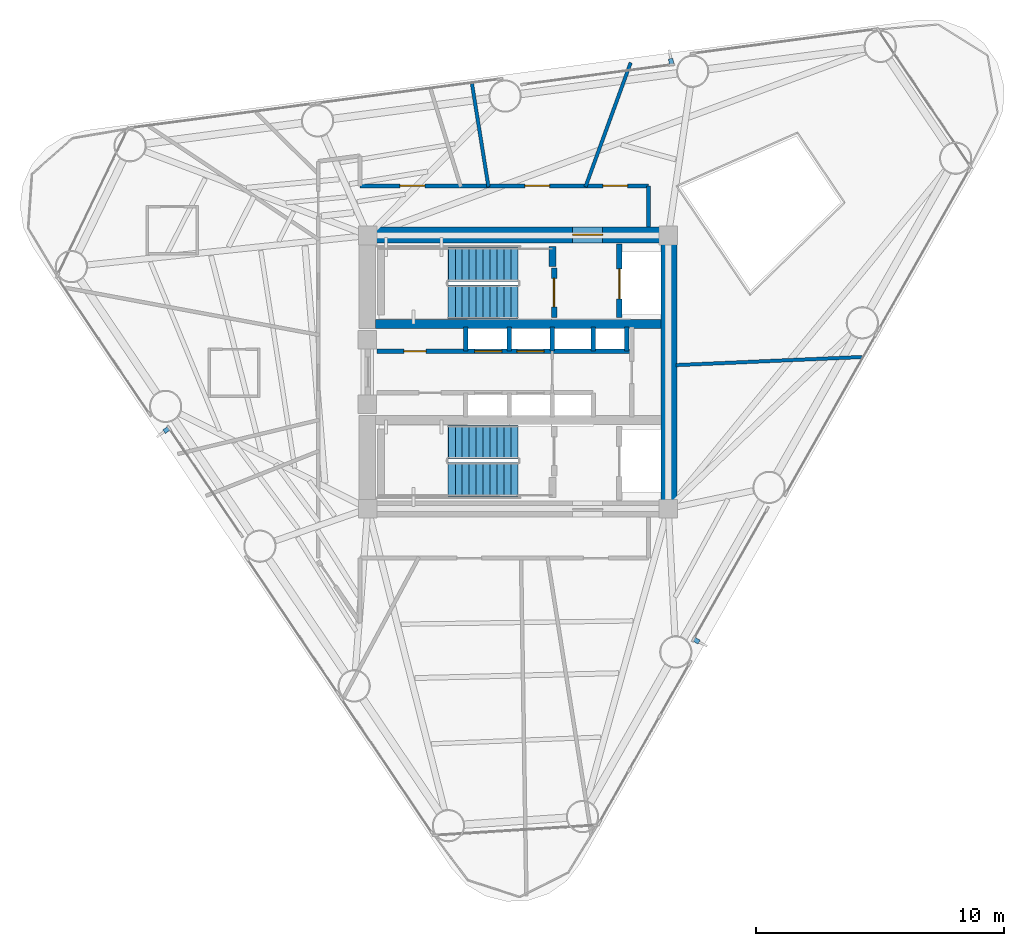
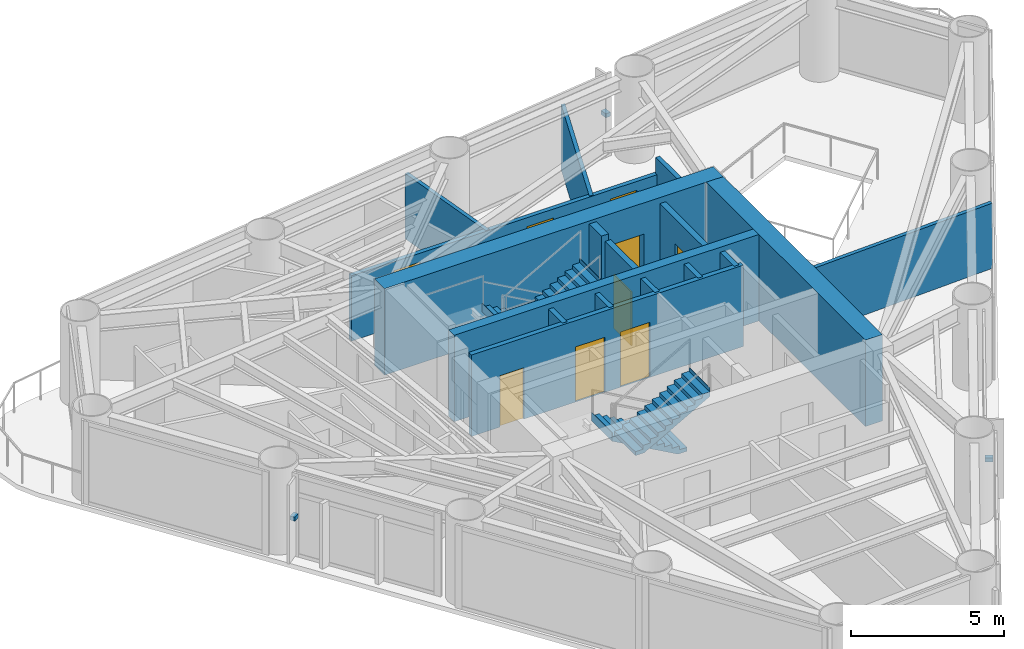
# One storey, part 6 of 9: 17 walls, 9 doors, 4 stair flights, 3 discrete accessories, 9 openings, 2 elements without a shape of their own.
"""IFC4 building model written with IfcOpenShell, lengths in metres."""

from ifc_helpers import new_model, si_unit, direction, frame, frame_2d, origin, origin_2d, place, context, subcontext, project, spatial, polyline, rectangle, outline, extrude, source, transform, mapped, material, layer, layer_set, type_object, element, fill, aggregate, save


model = new_model("IFC4")

# Units and contexts
model_context = context("Model", 3, precision=1e-05, world=origin(), true_north=direction((0.0, 1.0)))
body_context = subcontext(model_context, "Body", "Model", "MODEL_VIEW")
ifc_project = project(units=[si_unit("LENGTHUNIT", "METRE"), si_unit("AREAUNIT", "SQUARE_METRE"), si_unit("VOLUMEUNIT", "CUBIC_METRE"), si_unit("PLANEANGLEUNIT", "RADIAN"), si_unit("MASSUNIT", "GRAM", prefix="KILO")], contexts=[model_context])

# Site, building, storey
site_placement = place(None, origin())
site = spatial("IfcSite", under=ifc_project, at=site_placement, CompositionType="ELEMENT")
building_placement = place(site_placement, origin())
building = spatial("IfcBuilding", under=site, at=building_placement, Name="Yunling Apex Tower", CompositionType="ELEMENT")
storey_placement = place(building_placement, frame((0.0, 0.0, 165.64990234375)))
storey = spatial("IfcBuildingStorey", under=building, at=storey_placement, Name="L40", CompositionType="ELEMENT", Elevation=165.64990234375)

# Wall, opening, door
ifc_material_1 = material(Name="Concrete C50", Category="concrete")
ifc_layer_1 = layer(ifc_material_1, 0.64990234375)
ifc_layer_set_1 = layer_set([ifc_layer_1], Name="Concrete C50")
wall_type_1 = type_object("IfcWallType", Name="WL-COR-2", PredefinedType="SHEAR", material=ifc_layer_set_1)
wall_1_placement = place(storey_placement, frame((-6.39990234375, 5.52490234375, 0.0), z_axis=(0.0, 0.0, 1.0), x_axis=(1.0, 0.0, 0.0)))
wall_1 = element("IfcWall", 1, at=wall_1_placement, inside=storey, type_object=wall_type_1, Name="L40 North Core Shear Wall", PredefinedType="SHEAR", context=body_context, shape_type="SweptSolid", body=[
    extrude(rectangle(XDim=12.7998046875, YDim=0.64990234375, at=frame_2d((6.39990234375, 0.0))), origin(), (0.0, 0.0, 1.0), 3.4501953125),
])
opening_1_placement = place(wall_1_placement, frame((8.60009765625, 0.0, 0.0)))
opening_1 = element("IfcOpeningElement", 2, at=opening_1_placement, cuts=wall_1, Name="Opening DR-FFL-1", PredefinedType="OPENING", context=body_context, shape_type="SweptSolid", body=[
    extrude(rectangle(XDim=1.199951171875, YDim=2.199951171875, at=frame_2d((0.60009765625, 1.10009765625))), frame((0.0, 0.3349609375, 0.0), z_axis=(0.0, -1.0, 0.0), x_axis=(1.0, 0.0, 0.0)), (0.0, 0.0, 1.0), 0.669921875),
])
ifc_material_2 = material(Name="Steel Q355B", Category="steel")
door_type_1 = type_object("IfcDoorType", Name="DR-FFL-1", OperationType="NOTDEFINED", PredefinedType="DOOR", material=ifc_material_2)
door_1_placement = place(opening_1_placement, origin())
door_1 = element("IfcDoor", 3, at=door_1_placement, inside=storey, type_object=door_type_1, Name="L40 North Firefighting Lobby Door", OperationType="SINGLE_SWING_LEFT", OverallHeight=2.199951171875, OverallWidth=1.199951171875, PredefinedType="DOOR", context=body_context, shape_type="SweptSolid", body=[
    extrude(rectangle(XDim=1.199951171875, YDim=2.199951171875, at=frame_2d((0.60009765625, 1.10009765625))), frame((0.0, 0.02490234375, 0.0), z_axis=(0.0, -1.0, 0.0), x_axis=(1.0, 0.0, 0.0)), (0.0, 0.0, 1.0), 0.050048828125),
])
fill(opening_1, door_1)

# Walls
wall_2_placement = place(storey_placement, frame((6.074951171875, -5.199951171875, 0.0), z_axis=(0.0, 0.0, 1.0), x_axis=(0.0, 1.0, 0.0)))
element("IfcWall", 4, at=wall_2_placement, inside=storey, type_object=wall_type_1, Name="L40 East Core Shear Wall", PredefinedType="SHEAR", context=body_context, shape_type="SweptSolid", body=[
    extrude(rectangle(XDim=10.39990234375, YDim=0.64990234375, at=frame_2d((5.199951171875, 0.0))), origin(), (0.0, 0.0, 1.0), 3.4501953125),
])
ifc_material_3 = material(Name="Concrete C40", Category="concrete")
ifc_layer_2 = layer(ifc_material_3, 0.360107421875)
ifc_layer_set_2 = layer_set([ifc_layer_2], Name="Concrete C40")
wall_type_2 = type_object("IfcWallType", Name="WL-COR-4", PredefinedType="SHEAR", material=ifc_layer_set_2)
wall_3_placement = place(storey_placement, frame((-5.75, 1.93994140625, 0.0), z_axis=(0.0, 0.0, 1.0), x_axis=(1.0, 0.0, 0.0)))
element("IfcWall", 5, at=wall_3_placement, inside=storey, type_object=wall_type_2, Name="L40 North Internal Core Shear Wall", PredefinedType="SHEAR", context=body_context, shape_type="SweptSolid", body=[
    extrude(rectangle(XDim=11.5, YDim=0.360107421875, at=frame_2d((5.75, 0.0))), origin(), (0.0, 0.0, 1.0), 3.4501953125),
])
ifc_layer_3 = layer(ifc_material_3, 0.280029296875)
ifc_layer_set_3 = layer_set([ifc_layer_3], Name="Concrete C40")
wall_type_3 = type_object("IfcWallType", Name="WL-COR-8", PredefinedType="SHEAR", material=ifc_layer_set_3)
wall_4_placement = place(storey_placement, frame((1.3798828125, 4.25, 0.0), z_axis=(0.0, 0.0, 1.0), x_axis=(0.0, 1.0, 0.0)))
element("IfcWall", 6, at=wall_4_placement, inside=storey, type_object=wall_type_3, Name="L40 ST-1 East Landing Bearing Pier", PredefinedType="SHEAR", context=body_context, shape_type="SweptSolid", body=[
    extrude(rectangle(XDim=0.800048828125, YDim=0.280029296875, at=frame_2d((0.39990234375, 0.0))), origin(), (0.0, 0.0, 1.0), 3.4501953125),
])

# Wall, openings, doors
ifc_material_4 = material(Name="Gypsum board acoustic partition")
ifc_layer_4 = layer(ifc_material_4, 0.159912109375)
ifc_layer_set_4 = layer_set([ifc_layer_4], Name="Gypsum board acoustic partition")
wall_type_4 = type_object("IfcWallType", Name="WL-PRT-1", PredefinedType="PARTITIONING", material=ifc_layer_set_4)
wall_5_placement = place(storey_placement, frame((-6.360107421875, 7.5, 0.0), z_axis=(0.0, 0.0, 1.0), x_axis=(1.0, 0.0, 0.0)))
wall_5 = element("IfcWall", 7, at=wall_5_placement, inside=storey, type_object=wall_type_4, Name="WL-CORR-L40-06", PredefinedType="PARTITIONING", context=body_context, shape_type="SweptSolid", body=[
    extrude(rectangle(XDim=11.610107421875, YDim=0.159912109375, at=frame_2d((5.80517578125, 0.0))), origin(), (0.0, 0.0, 1.0), 2.60498046875),
])
opening_2_placement = place(wall_5_placement, frame((1.600341796875, 0.0, 0.0)))
opening_2 = element("IfcOpeningElement", 8, at=opening_2_placement, cuts=wall_5, Name="Opening DR-OFF-1", PredefinedType="OPENING", context=body_context, shape_type="SweptSolid", body=[
    extrude(rectangle(XDim=1.0, YDim=2.25, at=frame_2d((0.5, 1.125))), frame((0.0, 0.08984375, 0.0), z_axis=(0.0, -1.0, 0.0), x_axis=(1.0, 0.0, 0.0)), (0.0, 0.0, 1.0), 0.179931640625),
])
opening_3_placement = place(wall_5_placement, frame((6.63134765625, 0.0, 0.0)))
opening_3 = element("IfcOpeningElement", 9, at=opening_3_placement, cuts=wall_5, Name="Opening DR-OFF-1", PredefinedType="OPENING", context=body_context, shape_type="SweptSolid", body=[
    extrude(rectangle(XDim=1.0, YDim=2.25, at=frame_2d((0.5, 1.125))), frame((0.0, 0.08984375, 0.0), z_axis=(0.0, -1.0, 0.0), x_axis=(1.0, 0.0, 0.0)), (0.0, 0.0, 1.0), 0.179931640625),
])
opening_4_placement = place(wall_5_placement, frame((9.77294921875, 0.0, 0.0)))
opening_4 = element("IfcOpeningElement", 10, at=opening_4_placement, cuts=wall_5, Name="Opening DR-OFF-1", PredefinedType="OPENING", context=body_context, shape_type="SweptSolid", body=[
    extrude(rectangle(XDim=1.0, YDim=2.25, at=frame_2d((0.5, 1.125))), frame((0.0, 0.08984375, 0.0), z_axis=(0.0, -1.0, 0.0), x_axis=(1.0, 0.0, 0.0)), (0.0, 0.0, 1.0), 0.179931640625),
])
ifc_material_5 = material(Name="Bronze anodised aluminium", Category="aluminium")
door_type_2 = type_object("IfcDoorType", Name="DR-OFF-1", OperationType="NOTDEFINED", PredefinedType="DOOR", material=ifc_material_5)
door_2_placement = place(opening_2_placement, origin())
door_2 = element("IfcDoor", 11, at=door_2_placement, inside=storey, type_object=door_type_2, Name="L40 Club Lounge Door", OperationType="SINGLE_SWING_RIGHT", OverallHeight=2.25, OverallWidth=1.0, PredefinedType="DOOR", context=body_context, shape_type="SweptSolid", body=[
    extrude(rectangle(XDim=1.0, YDim=2.25, at=frame_2d((0.5, 1.125))), frame((0.0, 0.02490234375, 0.0), z_axis=(0.0, -1.0, 0.0), x_axis=(1.0, 0.0, 0.0)), (0.0, 0.0, 1.0), 0.050048828125),
])
fill(opening_2, door_2)
door_3_placement = place(opening_3_placement, origin())
door_3 = element("IfcDoor", 12, at=door_3_placement, inside=storey, type_object=door_type_2, Name="L40 Club Lounge Door", OperationType="SINGLE_SWING_LEFT", OverallHeight=2.25, OverallWidth=1.0, PredefinedType="DOOR", context=body_context, shape_type="SweptSolid", body=[
    extrude(rectangle(XDim=1.0, YDim=2.25, at=frame_2d((0.5, 1.125))), frame((0.0, 0.02490234375, 0.0), z_axis=(0.0, -1.0, 0.0), x_axis=(1.0, 0.0, 0.0)), (0.0, 0.0, 1.0), 0.050048828125),
])
fill(opening_3, door_3)
door_4_placement = place(opening_4_placement, origin())
door_4 = element("IfcDoor", 13, at=door_4_placement, inside=storey, type_object=door_type_2, Name="L40 Club Lounge Door", OperationType="SINGLE_SWING_RIGHT", OverallHeight=2.25, OverallWidth=1.0, PredefinedType="DOOR", context=body_context, shape_type="SweptSolid", body=[
    extrude(rectangle(XDim=1.0, YDim=2.25, at=frame_2d((0.5, 1.125))), frame((0.0, 0.02490234375, 0.0), z_axis=(0.0, -1.0, 0.0), x_axis=(1.0, 0.0, 0.0)), (0.0, 0.0, 1.0), 0.050048828125),
])
fill(opening_4, door_4)

# Walls
wall_6_placement = place(storey_placement, frame((5.25, 7.5, 0.0), z_axis=(0.0, 0.0, 1.0), x_axis=(0.0, -1.0, 0.0)))
element("IfcWall", 14, at=wall_6_placement, inside=storey, type_object=wall_type_4, Name="WL-CORR-L40-07", PredefinedType="PARTITIONING", context=body_context, shape_type="SweptSolid", body=[
    extrude(rectangle(XDim=1.64990234375, YDim=0.159912109375, at=frame_2d((0.824951171875, 0.0))), origin(), (0.0, 0.0, 1.0), 3.25),
])
ifc_layer_5 = layer(ifc_material_4, 0.139892578125)
ifc_layer_set_5 = layer_set([ifc_layer_5], Name="Gypsum board acoustic partition")
wall_type_5 = type_object("IfcWallType", Name="WL-PRT-2", PredefinedType="PARTITIONING", material=ifc_layer_set_5)
wall_7_placement = place(storey_placement, frame((6.360107421875, 0.277587890625, 0.0), z_axis=(0.0, 0.0, 1.0), x_axis=(0.999047543566, 0.043634913719, 0.0)))
element("IfcWall", 15, at=wall_7_placement, inside=storey, type_object=wall_type_5, Name="WL-RAD-L40-01", PredefinedType="PARTITIONING", context=body_context, shape_type="SweptSolid", body=[
    extrude(rectangle(XDim=7.5029296875, YDim=0.139892578125, at=frame_2d((3.75146484375, 0.0))), origin(), (0.0, 0.0, 1.0), 2.60498046875),
])
wall_8_placement = place(storey_placement, frame((2.715087890625, 7.4599609375, 0.0), z_axis=(0.0, 0.0, 1.0), x_axis=(0.342045165819, 0.939683512966, 0.0)))
element("IfcWall", 16, at=wall_8_placement, inside=storey, type_object=wall_type_5, Name="WL-RAD-L40-02", PredefinedType="PARTITIONING", context=body_context, shape_type="SweptSolid", body=[
    extrude(rectangle(XDim=5.3203125, YDim=0.139892578125, at=frame_2d((2.66015625, 0.0))), origin(), (0.0, 0.0, 1.0), 2.60498046875),
])
wall_9_placement = place(storey_placement, frame((-1.193603515625, 7.4599609375, 0.0), z_axis=(0.0, 0.0, 1.0), x_axis=(-0.157995028697, 0.987439907492, 0.0)))
element("IfcWall", 17, at=wall_9_placement, inside=storey, type_object=wall_type_5, Name="WL-RAD-L40-03", PredefinedType="PARTITIONING", context=body_context, shape_type="SweptSolid", body=[
    extrude(rectangle(XDim=4.2060546875, YDim=0.139892578125, at=frame_2d((2.10302734375, 0.0))), origin(), (0.0, 0.0, 1.0), 2.60498046875),
])

# Wall, opening, door
ifc_material_6 = material(Name="Autoclaved aerated concrete masonry", Category="masonry")
ifc_layer_6 = layer(ifc_material_6, 0.219970703125)
ifc_layer_set_6 = layer_set([ifc_layer_6], Name="Autoclaved aerated concrete masonry")
wall_type_6 = type_object("IfcWallType", Name="WL-SHF-1", PredefinedType="PLUMBINGWALL", material=ifc_layer_set_6)
wall_10_placement = place(storey_placement, frame((1.449951171875, 2.199951171875, 0.0), z_axis=(0.0, 0.0, 1.0), x_axis=(0.0, 1.0, 0.0)))
wall_10 = element("IfcWall", 18, at=wall_10_placement, inside=storey, type_object=wall_type_6, Name="WL-ST1-E-L40", PredefinedType="PLUMBINGWALL", context=body_context, shape_type="SweptSolid", body=[
    extrude(rectangle(XDim=1.97998046875, YDim=0.219970703125, at=frame_2d((0.989990234375, 0.0))), origin(), (0.0, 0.0, 1.0), 3.25),
])
opening_5_placement = place(wall_10_placement, frame((0.419921875, 0.0, 0.0)))
opening_5 = element("IfcOpeningElement", 19, at=opening_5_placement, cuts=wall_10, Name="Opening DR-ST-1", PredefinedType="OPENING", context=body_context, shape_type="SweptSolid", body=[
    extrude(rectangle(XDim=1.14990234375, YDim=2.14990234375, at=frame_2d((0.574951171875, 1.074951171875))), frame((0.0, 0.1201171875, 0.0), z_axis=(0.0, -1.0, 0.0), x_axis=(1.0, 0.0, 0.0)), (0.0, 0.0, 1.0), 0.239990234375),
])
door_type_3 = type_object("IfcDoorType", Name="DR-ST-1", OperationType="NOTDEFINED", PredefinedType="DOOR", material=ifc_material_2)
door_5_placement = place(opening_5_placement, origin())
door_5 = element("IfcDoor", 20, at=door_5_placement, inside=storey, type_object=door_type_3, Name="L40 Stair ST-1 Fire Door", OperationType="SINGLE_SWING_RIGHT", OverallHeight=2.14990234375, OverallWidth=1.14990234375, PredefinedType="DOOR", context=body_context, shape_type="SweptSolid", body=[
    extrude(rectangle(XDim=1.14990234375, YDim=2.14990234375, at=frame_2d((0.574951171875, 1.074951171875))), frame((0.0, 0.02490234375, 0.0), z_axis=(0.0, -1.0, 0.0), x_axis=(1.0, 0.0, 0.0)), (0.0, 0.0, 1.0), 0.050048828125),
])
fill(opening_5, door_5)

wall_11_placement = place(storey_placement, frame((4.080078125, 2.199951171875, 0.0), z_axis=(0.0, 0.0, 1.0), x_axis=(0.0, 1.0, 0.0)))
wall_11 = element("IfcWall", 21, at=wall_11_placement, inside=storey, type_object=wall_type_6, Name="WL-FFL1-W-L40", PredefinedType="PLUMBINGWALL", context=body_context, shape_type="SweptSolid", body=[
    extrude(rectangle(XDim=2.949951171875, YDim=0.219970703125, at=frame_2d((1.47509765625, 0.0))), origin(), (0.0, 0.0, 1.0), 3.25),
])
opening_6_placement = place(wall_11_placement, frame((0.75, 0.0, 0.0)))
opening_6 = element("IfcOpeningElement", 22, at=opening_6_placement, cuts=wall_11, Name="Opening LD-FFL-1", PredefinedType="OPENING", context=body_context, shape_type="SweptSolid", body=[
    extrude(rectangle(XDim=1.199951171875, YDim=2.25, at=frame_2d((0.60009765625, 1.125))), frame((0.0, 0.1201171875, 0.0), z_axis=(0.0, -1.0, 0.0), x_axis=(1.0, 0.0, 0.0)), (0.0, 0.0, 1.0), 0.239990234375),
])
door_type_4 = type_object("IfcDoorType", Name="LD-FFL-1", OperationType="DOUBLE_DOOR_SLIDING", PredefinedType="DOOR", material=ifc_material_2)
door_6_placement = place(opening_6_placement, origin())
door_6 = element("IfcDoor", 23, at=door_6_placement, inside=storey, type_object=door_type_4, Name="L40 Lift FFL-1 Landing Door", OperationType="DOUBLE_DOOR_SLIDING", OverallHeight=2.25, OverallWidth=1.199951171875, PredefinedType="DOOR", context=body_context, shape_type="SweptSolid", body=[
    extrude(rectangle(XDim=1.199951171875, YDim=2.25, at=frame_2d((0.60009765625, 1.125))), frame((0.0, 0.02490234375, 0.0), z_axis=(0.0, -1.0, 0.0), x_axis=(1.0, 0.0, 0.0)), (0.0, 0.0, 1.0), 0.050048828125),
])
fill(opening_6, door_6)

# Walls
ifc_layer_7 = layer(ifc_material_6, 0.179931640625)
ifc_layer_set_7 = layer_set([ifc_layer_7], Name="Autoclaved aerated concrete masonry")
wall_type_7 = type_object("IfcWallType", Name="WL-SHF-2", PredefinedType="PLUMBINGWALL", material=ifc_layer_set_7)
for number, where, z_axis, x_axis, name in (
    (24, (-2.10009765625, 0.840087890625, 0.0), (0.0, 0.0, 1.0), (0.0, 1.0, 0.0), "WL-BNK-LM-N-L40"),
    (25, (-0.35009765625, 0.840087890625, 0.0), (0.0, 0.0, 1.0), (0.0, 1.0, 0.0), "WL-DIV-M12-L40"),
    (26, (1.3798828125, 0.840087890625, 0.0), (0.0, 0.0, 1.0), (0.0, 1.0, 0.0), "WL-BNK-MH-N-L40"),
    (27, (3.02001953125, 0.840087890625, 0.0), (0.0, 0.0, 1.0), (0.0, 1.0, 0.0), "WL-DIV-H13-L40"),
    (28, (4.3798828125, 0.840087890625, 0.0), (0.0, 0.0, 1.0), (0.0, 1.0, 0.0), "WL-END-H3E-L40"),
):
    element("IfcWall", number, at=place(storey_placement, frame(where, z_axis=z_axis, x_axis=x_axis)), inside=storey, type_object=wall_type_7, Name=name, PredefinedType="PLUMBINGWALL", context=body_context, shape_type="SweptSolid", body=[
        extrude(rectangle(XDim=0.97998046875, YDim=0.179931640625, at=frame_2d((0.489990234375, 0.0))), origin(), (0.0, 0.0, 1.0), 3.25),
    ])

# Wall, openings, doors
wall_12_placement = place(storey_placement, frame((-5.679931640625, 0.840087890625, 0.0), z_axis=(0.0, 0.0, 1.0), x_axis=(1.0, 0.0, 0.0)))
wall_12 = element("IfcWall", 29, at=wall_12_placement, inside=storey, type_object=wall_type_7, Name="WL-LOB-N-L40", PredefinedType="PLUMBINGWALL", context=body_context, shape_type="SweptSolid", body=[
    extrude(rectangle(XDim=10.260009765625, YDim=0.179931640625, at=frame_2d((5.1298828125, 0.0))), origin(), (0.0, 0.0, 1.0), 3.25),
])
opening_7_placement = place(wall_12_placement, frame((1.080078125, 0.0, 0.0)))
opening_7 = element("IfcOpeningElement", 30, at=opening_7_placement, cuts=wall_12, Name="Opening DR-SHF-1", PredefinedType="OPENING", context=body_context, shape_type="SweptSolid", body=[
    extrude(rectangle(XDim=0.89990234375, YDim=2.050048828125, at=frame_2d((0.449951171875, 1.02490234375))), frame((0.0, 0.10009765625, 0.0), z_axis=(0.0, -1.0, 0.0), x_axis=(1.0, 0.0, 0.0)), (0.0, 0.0, 1.0), 0.199951171875),
])
opening_8_placement = place(wall_12_placement, frame((3.929931640625, 0.0, 0.0)))
opening_8 = element("IfcOpeningElement", 31, at=opening_8_placement, cuts=wall_12, Name="Opening LD-PAS-1", PredefinedType="OPENING", context=body_context, shape_type="SweptSolid", body=[
    extrude(rectangle(XDim=1.10009765625, YDim=2.199951171875, at=frame_2d((0.550048828125, 1.10009765625))), frame((0.0, 0.10009765625, 0.0), z_axis=(0.0, -1.0, 0.0), x_axis=(1.0, 0.0, 0.0)), (0.0, 0.0, 1.0), 0.199951171875),
])
opening_9_placement = place(wall_12_placement, frame((5.6298828125, 0.0, 0.0)))
opening_9 = element("IfcOpeningElement", 32, at=opening_9_placement, cuts=wall_12, Name="Opening LD-PAS-1", PredefinedType="OPENING", context=body_context, shape_type="SweptSolid", body=[
    extrude(rectangle(XDim=1.10009765625, YDim=2.199951171875, at=frame_2d((0.550048828125, 1.10009765625))), frame((0.0, 0.10009765625, 0.0), z_axis=(0.0, -1.0, 0.0), x_axis=(1.0, 0.0, 0.0)), (0.0, 0.0, 1.0), 0.199951171875),
])
door_type_5 = type_object("IfcDoorType", Name="DR-SHF-1", OperationType="NOTDEFINED", PredefinedType="DOOR", material=ifc_material_2)
door_7_placement = place(opening_7_placement, origin())
door_7 = element("IfcDoor", 33, at=door_7_placement, inside=storey, type_object=door_type_5, Name="L40 BMS Plant Door", OperationType="SINGLE_SWING_RIGHT", OverallHeight=2.050048828125, OverallWidth=0.89990234375, PredefinedType="DOOR", context=body_context, shape_type="SweptSolid", body=[
    extrude(rectangle(XDim=0.89990234375, YDim=2.050048828125, at=frame_2d((0.449951171875, 1.02490234375))), frame((0.0, 0.02490234375, 0.0), z_axis=(0.0, -1.0, 0.0), x_axis=(1.0, 0.0, 0.0)), (0.0, 0.0, 1.0), 0.050048828125),
])
fill(opening_7, door_7)
ifc_material_7 = material(Name="Silver anodised aluminium", Category="aluminium")
door_type_6 = type_object("IfcDoorType", Name="LD-PAS-1", OperationType="DOUBLE_DOOR_SLIDING", PredefinedType="DOOR", material=ifc_material_7)
door_8_placement = place(opening_8_placement, origin())
door_8 = element("IfcDoor", 34, at=door_8_placement, inside=storey, type_object=door_type_6, Name="L40 Lift PL-M1 Landing Door", OperationType="DOUBLE_DOOR_SLIDING", OverallHeight=2.199951171875, OverallWidth=1.10009765625, PredefinedType="DOOR", context=body_context, shape_type="SweptSolid", body=[
    extrude(rectangle(XDim=1.10009765625, YDim=2.199951171875, at=frame_2d((0.550048828125, 1.10009765625))), frame((0.0, 0.02490234375, 0.0), z_axis=(0.0, -1.0, 0.0), x_axis=(1.0, 0.0, 0.0)), (0.0, 0.0, 1.0), 0.050048828125),
])
fill(opening_8, door_8)
door_9_placement = place(opening_9_placement, origin())
door_9 = element("IfcDoor", 35, at=door_9_placement, inside=storey, type_object=door_type_6, Name="L40 Lift PL-M2 Landing Door", OperationType="DOUBLE_DOOR_SLIDING", OverallHeight=2.199951171875, OverallWidth=1.10009765625, PredefinedType="DOOR", context=body_context, shape_type="SweptSolid", body=[
    extrude(rectangle(XDim=1.10009765625, YDim=2.199951171875, at=frame_2d((0.550048828125, 1.10009765625))), frame((0.0, 0.02490234375, 0.0), z_axis=(0.0, -1.0, 0.0), x_axis=(1.0, 0.0, 0.0)), (0.0, 0.0, 1.0), 0.050048828125),
])
fill(opening_9, door_9)

# Stair, stair flights
stair_type = type_object("IfcStairType", Name="ST-TWR-2", PredefinedType="HALF_TURN_STAIR", material=ifc_material_3)
stair_1_placement = place(storey_placement, origin())
stair_1 = element("IfcStair", 36, at=stair_1_placement, inside=storey, type_object=stair_type, Name="L40 North Core Smokeproof Exit Stair ST-1", PredefinedType="HALF_TURN_STAIR")
stair_flight_type = type_object("IfcStairFlightType", Name="SFL-TWR-2", PredefinedType="STRAIGHT", material=ifc_material_3)
stair_flight_1_placement = place(storey_placement, frame((-0.010009765625, 4.330078125, 0.0), z_axis=(0.0, 0.0, 1.0), x_axis=(-1.0, 0.0, 0.0)))
stair_flight_1 = element("IfcStairFlight", 37, at=stair_flight_1_placement, type_object=stair_flight_type, Name="ST-1 flight 1", NumberOfRisers=11, NumberOfTreads=10, PredefinedType="STRAIGHT", RiserHeight=0.156818182, TreadLength=0.28, context=body_context, shape_type="SweptSolid", body=[
    extrude(outline(polyline([(-0.011962890625, 0.0), (-0.011962890625, 0.15673828125), (0.0, 0.15673828125), (0.280029296875, 0.15673828125), (0.280029296875, 0.313720703125), (0.56005859375, 0.313720703125), (0.56005859375, 0.470458984375), (0.840087890625, 0.470458984375), (0.840087890625, 0.627197265625), (1.1201171875, 0.627197265625), (1.1201171875, 0.7841796875), (1.39990234375, 0.7841796875), (1.39990234375, 0.94091796875), (1.679931640625, 0.94091796875), (1.679931640625, 1.09765625), (1.9599609375, 1.09765625), (1.9599609375, 1.254638671875), (2.239990234375, 1.254638671875), (2.239990234375, 1.411376953125), (2.52001953125, 1.411376953125), (2.52001953125, 1.568115234375), (2.800048828125, 1.568115234375), (2.800048828125, 1.72509765625), (2.81201171875, 1.72509765625), (2.81201171875, 1.385009765625), (0.3271484375, 0.0), (-0.011962890625, 0.0)])), frame((0.0, 0.68017578125, 0.0), z_axis=(0.0, -1.0, 0.0), x_axis=(1.0, 0.0, 0.0)), (0.0, 0.0, 1.0), 1.360107421875),
])
stair_flight_2_placement = place(storey_placement, frame((-2.81005859375, 2.820068359375, 1.72509765625), z_axis=(0.0, 0.0, 1.0), x_axis=(1.0, 0.0, 0.0)))
stair_flight_2 = element("IfcStairFlight", 38, at=stair_flight_2_placement, type_object=stair_flight_type, Name="ST-1 flight 2", NumberOfRisers=11, NumberOfTreads=10, PredefinedType="STRAIGHT", RiserHeight=0.156818182, TreadLength=0.28, context=body_context, shape_type="SweptSolid", body=[
    extrude(outline(polyline([(-0.011962890625, 0.0), (-0.011962890625, 0.15673828125), (0.0, 0.15673828125), (0.280029296875, 0.15673828125), (0.280029296875, 0.313720703125), (0.56005859375, 0.313720703125), (0.56005859375, 0.470458984375), (0.840087890625, 0.470458984375), (0.840087890625, 0.627197265625), (1.1201171875, 0.627197265625), (1.1201171875, 0.7841796875), (1.39990234375, 0.7841796875), (1.39990234375, 0.94091796875), (1.679931640625, 0.94091796875), (1.679931640625, 1.09765625), (1.9599609375, 1.09765625), (1.9599609375, 1.254638671875), (2.239990234375, 1.254638671875), (2.239990234375, 1.411376953125), (2.52001953125, 1.411376953125), (2.52001953125, 1.568115234375), (2.800048828125, 1.568115234375), (2.800048828125, 1.72509765625), (2.81201171875, 1.72509765625), (2.81201171875, 1.385009765625), (0.3271484375, 0.0), (-0.011962890625, 0.0)])), frame((0.0, 0.68017578125, 0.0), z_axis=(0.0, -1.0, 0.0), x_axis=(1.0, 0.0, 0.0)), (0.0, 0.0, 1.0), 1.360107421875),
])
aggregate(stair_1, [stair_flight_1, stair_flight_2])

stair_2_placement = place(storey_placement, origin())
stair_2 = element("IfcStair", 39, at=stair_2_placement, inside=storey, type_object=stair_type, Name="L40 South Core Smokeproof Exit Stair ST-2", PredefinedType="HALF_TURN_STAIR")
stair_flight_3_placement = place(storey_placement, frame((-0.010009765625, -2.820068359375, 0.0), z_axis=(0.0, 0.0, 1.0), x_axis=(-1.0, 0.0, 0.0)))
stair_flight_3 = element("IfcStairFlight", 40, at=stair_flight_3_placement, type_object=stair_flight_type, Name="ST-2 flight 1", NumberOfRisers=11, NumberOfTreads=10, PredefinedType="STRAIGHT", RiserHeight=0.156818182, TreadLength=0.28, context=body_context, shape_type="SweptSolid", body=[
    extrude(outline(polyline([(-0.011962890625, 0.0), (-0.011962890625, 0.15673828125), (0.0, 0.15673828125), (0.280029296875, 0.15673828125), (0.280029296875, 0.313720703125), (0.56005859375, 0.313720703125), (0.56005859375, 0.470458984375), (0.840087890625, 0.470458984375), (0.840087890625, 0.627197265625), (1.1201171875, 0.627197265625), (1.1201171875, 0.7841796875), (1.39990234375, 0.7841796875), (1.39990234375, 0.94091796875), (1.679931640625, 0.94091796875), (1.679931640625, 1.09765625), (1.9599609375, 1.09765625), (1.9599609375, 1.254638671875), (2.239990234375, 1.254638671875), (2.239990234375, 1.411376953125), (2.52001953125, 1.411376953125), (2.52001953125, 1.568115234375), (2.800048828125, 1.568115234375), (2.800048828125, 1.72509765625), (2.81201171875, 1.72509765625), (2.81201171875, 1.385009765625), (0.3271484375, 0.0), (-0.011962890625, 0.0)])), frame((0.0, 0.68017578125, 0.0), z_axis=(0.0, -1.0, 0.0), x_axis=(1.0, 0.0, 0.0)), (0.0, 0.0, 1.0), 1.360107421875),
])
stair_flight_4_placement = place(storey_placement, frame((-2.81005859375, -4.330078125, 1.72509765625), z_axis=(0.0, 0.0, 1.0), x_axis=(1.0, 0.0, 0.0)))
stair_flight_4 = element("IfcStairFlight", 41, at=stair_flight_4_placement, type_object=stair_flight_type, Name="ST-2 flight 2", NumberOfRisers=11, NumberOfTreads=10, PredefinedType="STRAIGHT", RiserHeight=0.156818182, TreadLength=0.28, context=body_context, shape_type="SweptSolid", body=[
    extrude(outline(polyline([(-0.011962890625, 0.0), (-0.011962890625, 0.15673828125), (0.0, 0.15673828125), (0.280029296875, 0.15673828125), (0.280029296875, 0.313720703125), (0.56005859375, 0.313720703125), (0.56005859375, 0.470458984375), (0.840087890625, 0.470458984375), (0.840087890625, 0.627197265625), (1.1201171875, 0.627197265625), (1.1201171875, 0.7841796875), (1.39990234375, 0.7841796875), (1.39990234375, 0.94091796875), (1.679931640625, 0.94091796875), (1.679931640625, 1.09765625), (1.9599609375, 1.09765625), (1.9599609375, 1.254638671875), (2.239990234375, 1.254638671875), (2.239990234375, 1.411376953125), (2.52001953125, 1.411376953125), (2.52001953125, 1.568115234375), (2.800048828125, 1.568115234375), (2.800048828125, 1.72509765625), (2.81201171875, 1.72509765625), (2.81201171875, 1.385009765625), (0.3271484375, 0.0), (-0.011962890625, 0.0)])), frame((0.0, 0.68017578125, 0.0), z_axis=(0.0, -1.0, 0.0), x_axis=(1.0, 0.0, 0.0)), (0.0, 0.0, 1.0), 1.360107421875),
])
aggregate(stair_2, [stair_flight_3, stair_flight_4])

# Discrete accessories
discrete_accessory_type = type_object("IfcDiscreteAccessoryType", Name="BK-FIN-1", PredefinedType="BRACKET", material=ifc_material_2)
shared_shape = source(origin(), body_context, "Body", "SweptSolid", [
    extrude(rectangle(XDim=0.179931640625, YDim=0.260009765625, at=origin_2d()), origin(), (0.0, 0.0, 1.0), 0.159912109375),
])
for number, where, z_axis, x_axis, name in (
    (42, (7.177490234375, -10.814697265625, 1.55517578125), (0.0, 0.0, 1.0), (0.493031062956, 0.87001170737, 0.0), "CW-L40-F1-B2-BRK-01-1"),
    (43, (6.164794921875, 12.493408203125, 1.55517578125), (0.0, 0.0, 1.0), (-0.9913534953, -0.131218319443, 0.0), "CW-L40-F2-B2-BRK-01-1"),
    (44, (-14.15087890625, -2.33056640625, 1.55517578125), (0.0, 0.0, 1.0), (0.559192903471, -0.829037572555, 0.0), "CW-L40-F3-B2-BRK-01-1"),
):
    element("IfcDiscreteAccessory", number, at=place(storey_placement, frame(where, z_axis=z_axis, x_axis=x_axis)), inside=storey, type_object=discrete_accessory_type, Name=name, PredefinedType="BRACKET", context=body_context, shape_type="MappedRepresentation", body=[
        mapped(shared_shape, transform((0.0, 0.0, 0.0), scale=1.0)),
    ])

save(model, "model.ifc")
